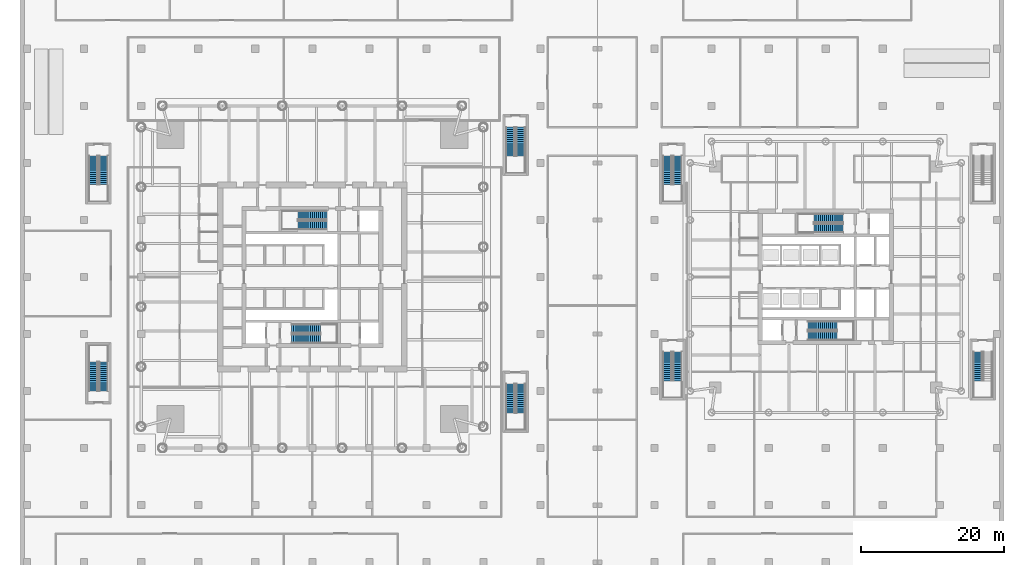
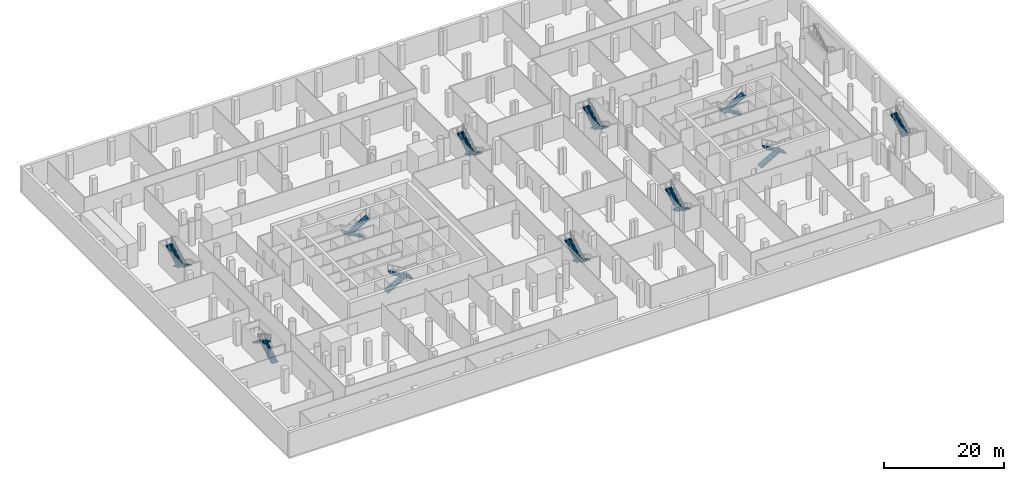
# One storey, part 17 of 22: 21 stair flights, 11 elements without a shape of their own.
"""IFC4 building model written with IfcOpenShell, lengths in metres."""

from ifc_helpers import new_model, si_unit, direction, frame, origin, place, context, subcontext, project, spatial, polyline, outline, extrude, material, type_object, element, aggregate, save


model = new_model("IFC4")

# Units and contexts
model_context = context("Model", 3, precision=1e-05, world=origin(), true_north=direction((0.0, 1.0)))
body_context = subcontext(model_context, "Body", "Model", "MODEL_VIEW")
ifc_project = project(units=[si_unit("LENGTHUNIT", "METRE"), si_unit("AREAUNIT", "SQUARE_METRE"), si_unit("VOLUMEUNIT", "CUBIC_METRE"), si_unit("PLANEANGLEUNIT", "RADIAN"), si_unit("MASSUNIT", "GRAM", prefix="KILO")], contexts=[model_context])

# Site, building, storey
site_placement = place(None, origin())
site = spatial("IfcSite", under=ifc_project, at=site_placement, CompositionType="ELEMENT")
building_placement = place(site_placement, origin())
building = spatial("IfcBuilding", under=site, at=building_placement, Name="Ostroluk Exchange", CompositionType="ELEMENT")
storey_placement = place(building_placement, frame((0.0, 0.0, -5.0)))
storey = spatial("IfcBuildingStorey", under=building, at=storey_placement, Name="B1", CompositionType="ELEMENT", Elevation=-5.0)

# Stair, stair flights
ifc_material_1 = material(Name="Concrete C30/37", Category="concrete")
stair_type = type_object("IfcStairType", Name="Exit stair half turn 5000", PredefinedType="HALF_TURN_STAIR", material=ifc_material_1)
stair_1_placement = place(storey_placement, origin())
stair_1 = element("IfcStair", 1, at=stair_1_placement, inside=storey, type_object=stair_type, Name="Stair T1-S1 B1", PredefinedType="HALF_TURN_STAIR")
ifc_material_2 = material(Name="Concrete C30/37", Category="concrete")
stair_flight_type = type_object("IfcStairFlightType", Name="Stair flight 15 risers 166.7 x 290", PredefinedType="STRAIGHT", material=ifc_material_2)
stair_flight_1_placement = place(storey_placement, frame((42.10009765625, 38.77490234375, 0.0), z_axis=(0.0, 0.0, 1.0), x_axis=(1.0, 0.0, 0.0)))
stair_flight_1 = element("IfcStairFlight", 2, at=stair_flight_1_placement, type_object=stair_flight_type, Name="T1-S1 flight 1", NumberOfRisers=15, NumberOfTreads=14, PredefinedType="STRAIGHT", RiserHeight=0.166666667, TreadLength=0.29, context=body_context, shape_type="SweptSolid", body=[
    extrude(outline(polyline([(0.0, 0.0), (0.0, 0.166748046875), (0.2900390625, 0.166748046875), (0.2900390625, 0.333251953125), (0.580078125, 0.333251953125), (0.580078125, 0.5), (0.8701171875, 0.5), (0.8701171875, 0.666748046875), (1.159912109375, 0.666748046875), (1.159912109375, 0.833251953125), (1.449951171875, 0.833251953125), (1.449951171875, 1.0), (1.739990234375, 1.0), (1.739990234375, 1.166748046875), (2.030029296875, 1.166748046875), (2.030029296875, 1.333251953125), (2.320068359375, 1.333251953125), (2.320068359375, 1.5), (2.610107421875, 1.5), (2.610107421875, 1.666748046875), (2.89990234375, 1.666748046875), (2.89990234375, 1.833251953125), (3.18994140625, 1.833251953125), (3.18994140625, 2.0), (3.47998046875, 2.0), (3.47998046875, 2.166748046875), (3.77001953125, 2.166748046875), (3.77001953125, 2.333251953125), (4.06005859375, 2.333251953125), (4.06005859375, 2.5), (4.06005859375, 2.160400390625), (0.30078125, 0.0), (0.0, 0.0)])), frame((0.0, 0.625, 0.0), z_axis=(0.0, -1.0, 0.0), x_axis=(1.0, 0.0, 0.0)), (0.0, 0.0, 1.0), 1.25),
])
stair_flight_2_placement = place(storey_placement, frame((46.159912109375, 37.324951171875, 2.5), z_axis=(0.0, 0.0, 1.0), x_axis=(-1.0, 0.0, 0.0)))
stair_flight_2 = element("IfcStairFlight", 3, at=stair_flight_2_placement, type_object=stair_flight_type, Name="T1-S1 flight 2", NumberOfRisers=15, NumberOfTreads=14, PredefinedType="STRAIGHT", RiserHeight=0.166666667, TreadLength=0.29, context=body_context, shape_type="SweptSolid", body=[
    extrude(outline(polyline([(0.0, 0.0), (0.0, 0.166748046875), (0.2900390625, 0.166748046875), (0.2900390625, 0.333251953125), (0.580078125, 0.333251953125), (0.580078125, 0.5), (0.8701171875, 0.5), (0.8701171875, 0.666748046875), (1.159912109375, 0.666748046875), (1.159912109375, 0.833251953125), (1.449951171875, 0.833251953125), (1.449951171875, 1.0), (1.739990234375, 1.0), (1.739990234375, 1.166748046875), (2.030029296875, 1.166748046875), (2.030029296875, 1.333251953125), (2.320068359375, 1.333251953125), (2.320068359375, 1.5), (2.610107421875, 1.5), (2.610107421875, 1.666748046875), (2.89990234375, 1.666748046875), (2.89990234375, 1.833251953125), (3.18994140625, 1.833251953125), (3.18994140625, 2.0), (3.47998046875, 2.0), (3.47998046875, 2.166748046875), (3.77001953125, 2.166748046875), (3.77001953125, 2.333251953125), (4.06005859375, 2.333251953125), (4.06005859375, 2.5), (4.06005859375, 2.160400390625), (0.30078125, 0.0), (0.0, 0.0)])), frame((0.0, 0.625, 0.0), z_axis=(0.0, -1.0, 0.0), x_axis=(1.0, 0.0, 0.0)), (0.0, 0.0, 1.0), 1.25),
])
aggregate(stair_1, [stair_flight_1, stair_flight_2])

stair_2_placement = place(storey_placement, origin())
stair_2 = element("IfcStair", 4, at=stair_2_placement, inside=storey, type_object=stair_type, Name="Stair T1-S2 B1", PredefinedType="HALF_TURN_STAIR")
stair_flight_3_placement = place(storey_placement, frame((47.030029296875, 54.675048828125, 0.0), z_axis=(0.0, 0.0, 1.0), x_axis=(-1.0, 0.0, 0.0)))
stair_flight_3 = element("IfcStairFlight", 5, at=stair_flight_3_placement, type_object=stair_flight_type, Name="T1-S2 flight 1", NumberOfRisers=15, NumberOfTreads=14, PredefinedType="STRAIGHT", RiserHeight=0.166666667, TreadLength=0.29, context=body_context, shape_type="SweptSolid", body=[
    extrude(outline(polyline([(0.0, 0.0), (0.0, 0.166748046875), (0.2900390625, 0.166748046875), (0.2900390625, 0.333251953125), (0.580078125, 0.333251953125), (0.580078125, 0.5), (0.8701171875, 0.5), (0.8701171875, 0.666748046875), (1.159912109375, 0.666748046875), (1.159912109375, 0.833251953125), (1.449951171875, 0.833251953125), (1.449951171875, 1.0), (1.739990234375, 1.0), (1.739990234375, 1.166748046875), (2.030029296875, 1.166748046875), (2.030029296875, 1.333251953125), (2.320068359375, 1.333251953125), (2.320068359375, 1.5), (2.610107421875, 1.5), (2.610107421875, 1.666748046875), (2.89990234375, 1.666748046875), (2.89990234375, 1.833251953125), (3.18994140625, 1.833251953125), (3.18994140625, 2.0), (3.47998046875, 2.0), (3.47998046875, 2.166748046875), (3.77001953125, 2.166748046875), (3.77001953125, 2.333251953125), (4.06005859375, 2.333251953125), (4.06005859375, 2.5), (4.06005859375, 2.160400390625), (0.30078125, 0.0), (0.0, 0.0)])), frame((0.0, 0.625, 0.0), z_axis=(0.0, -1.0, 0.0), x_axis=(1.0, 0.0, 0.0)), (0.0, 0.0, 1.0), 1.25),
])
stair_flight_4_placement = place(storey_placement, frame((42.969970703125, 53.22509765625, 2.5), z_axis=(0.0, 0.0, 1.0), x_axis=(1.0, 0.0, 0.0)))
stair_flight_4 = element("IfcStairFlight", 6, at=stair_flight_4_placement, type_object=stair_flight_type, Name="T1-S2 flight 2", NumberOfRisers=15, NumberOfTreads=14, PredefinedType="STRAIGHT", RiserHeight=0.166666667, TreadLength=0.29, context=body_context, shape_type="SweptSolid", body=[
    extrude(outline(polyline([(0.0, 0.0), (0.0, 0.166748046875), (0.2900390625, 0.166748046875), (0.2900390625, 0.333251953125), (0.580078125, 0.333251953125), (0.580078125, 0.5), (0.8701171875, 0.5), (0.8701171875, 0.666748046875), (1.159912109375, 0.666748046875), (1.159912109375, 0.833251953125), (1.449951171875, 0.833251953125), (1.449951171875, 1.0), (1.739990234375, 1.0), (1.739990234375, 1.166748046875), (2.030029296875, 1.166748046875), (2.030029296875, 1.333251953125), (2.320068359375, 1.333251953125), (2.320068359375, 1.5), (2.610107421875, 1.5), (2.610107421875, 1.666748046875), (2.89990234375, 1.666748046875), (2.89990234375, 1.833251953125), (3.18994140625, 1.833251953125), (3.18994140625, 2.0), (3.47998046875, 2.0), (3.47998046875, 2.166748046875), (3.77001953125, 2.166748046875), (3.77001953125, 2.333251953125), (4.06005859375, 2.333251953125), (4.06005859375, 2.5), (4.06005859375, 2.160400390625), (0.30078125, 0.0), (0.0, 0.0)])), frame((0.0, 0.625, 0.0), z_axis=(0.0, -1.0, 0.0), x_axis=(1.0, 0.0, 0.0)), (0.0, 0.0, 1.0), 1.25),
])
aggregate(stair_2, [stair_flight_3, stair_flight_4])

stair_3_placement = place(storey_placement, origin())
stair_3 = element("IfcStair", 7, at=stair_3_placement, inside=storey, type_object=stair_type, Name="Stair T2-S1 B1", PredefinedType="HALF_TURN_STAIR")
stair_flight_5_placement = place(storey_placement, frame((114.5, 39.175048828125, 0.0), z_axis=(0.0, 0.0, 1.0), x_axis=(1.0, 0.0, 0.0)))
stair_flight_5 = element("IfcStairFlight", 8, at=stair_flight_5_placement, type_object=stair_flight_type, Name="T2-S1 flight 1", NumberOfRisers=15, NumberOfTreads=14, PredefinedType="STRAIGHT", RiserHeight=0.166666667, TreadLength=0.29, context=body_context, shape_type="SweptSolid", body=[
    extrude(outline(polyline([(0.0, 0.0), (0.0, 0.166748046875), (0.2900390625, 0.166748046875), (0.2900390625, 0.333251953125), (0.580078125, 0.333251953125), (0.580078125, 0.5), (0.8701171875, 0.5), (0.8701171875, 0.666748046875), (1.159912109375, 0.666748046875), (1.159912109375, 0.833251953125), (1.449951171875, 0.833251953125), (1.449951171875, 1.0), (1.739990234375, 1.0), (1.739990234375, 1.166748046875), (2.030029296875, 1.166748046875), (2.030029296875, 1.333251953125), (2.320068359375, 1.333251953125), (2.320068359375, 1.5), (2.610107421875, 1.5), (2.610107421875, 1.666748046875), (2.89990234375, 1.666748046875), (2.89990234375, 1.833251953125), (3.18994140625, 1.833251953125), (3.18994140625, 2.0), (3.47998046875, 2.0), (3.47998046875, 2.166748046875), (3.77001953125, 2.166748046875), (3.77001953125, 2.333251953125), (4.06005859375, 2.333251953125), (4.06005859375, 2.5), (4.06005859375, 2.160400390625), (0.30078125, 0.0), (0.0, 0.0)])), frame((0.0, 0.625, 0.0), z_axis=(0.0, -1.0, 0.0), x_axis=(1.0, 0.0, 0.0)), (0.0, 0.0, 1.0), 1.25),
])
stair_flight_6_placement = place(storey_placement, frame((118.56005859375, 37.72509765625, 2.5), z_axis=(0.0, 0.0, 1.0), x_axis=(-1.0, 0.0, 0.0)))
stair_flight_6 = element("IfcStairFlight", 9, at=stair_flight_6_placement, type_object=stair_flight_type, Name="T2-S1 flight 2", NumberOfRisers=15, NumberOfTreads=14, PredefinedType="STRAIGHT", RiserHeight=0.166666667, TreadLength=0.29, context=body_context, shape_type="SweptSolid", body=[
    extrude(outline(polyline([(0.0, 0.0), (0.0, 0.166748046875), (0.2900390625, 0.166748046875), (0.2900390625, 0.333251953125), (0.580078125, 0.333251953125), (0.580078125, 0.5), (0.8701171875, 0.5), (0.8701171875, 0.666748046875), (1.159912109375, 0.666748046875), (1.159912109375, 0.833251953125), (1.449951171875, 0.833251953125), (1.449951171875, 1.0), (1.739990234375, 1.0), (1.739990234375, 1.166748046875), (2.030029296875, 1.166748046875), (2.030029296875, 1.333251953125), (2.320068359375, 1.333251953125), (2.320068359375, 1.5), (2.610107421875, 1.5), (2.610107421875, 1.666748046875), (2.89990234375, 1.666748046875), (2.89990234375, 1.833251953125), (3.18994140625, 1.833251953125), (3.18994140625, 2.0), (3.47998046875, 2.0), (3.47998046875, 2.166748046875), (3.77001953125, 2.166748046875), (3.77001953125, 2.333251953125), (4.06005859375, 2.333251953125), (4.06005859375, 2.5), (4.06005859375, 2.160400390625), (0.30078125, 0.0), (0.0, 0.0)])), frame((0.0, 0.625, 0.0), z_axis=(0.0, -1.0, 0.0), x_axis=(1.0, 0.0, 0.0)), (0.0, 0.0, 1.0), 1.25),
])
aggregate(stair_3, [stair_flight_5, stair_flight_6])

stair_4_placement = place(storey_placement, origin())
stair_4 = element("IfcStair", 10, at=stair_4_placement, inside=storey, type_object=stair_type, Name="Stair T2-S2 B1", PredefinedType="HALF_TURN_STAIR")
stair_flight_7_placement = place(storey_placement, frame((119.429931640625, 54.27490234375, 0.0), z_axis=(0.0, 0.0, 1.0), x_axis=(-1.0, 0.0, 0.0)))
stair_flight_7 = element("IfcStairFlight", 11, at=stair_flight_7_placement, type_object=stair_flight_type, Name="T2-S2 flight 1", NumberOfRisers=15, NumberOfTreads=14, PredefinedType="STRAIGHT", RiserHeight=0.166666667, TreadLength=0.29, context=body_context, shape_type="SweptSolid", body=[
    extrude(outline(polyline([(0.0, 0.0), (0.0, 0.166748046875), (0.2900390625, 0.166748046875), (0.2900390625, 0.333251953125), (0.580078125, 0.333251953125), (0.580078125, 0.5), (0.8701171875, 0.5), (0.8701171875, 0.666748046875), (1.159912109375, 0.666748046875), (1.159912109375, 0.833251953125), (1.449951171875, 0.833251953125), (1.449951171875, 1.0), (1.739990234375, 1.0), (1.739990234375, 1.166748046875), (2.030029296875, 1.166748046875), (2.030029296875, 1.333251953125), (2.320068359375, 1.333251953125), (2.320068359375, 1.5), (2.610107421875, 1.5), (2.610107421875, 1.666748046875), (2.89990234375, 1.666748046875), (2.89990234375, 1.833251953125), (3.18994140625, 1.833251953125), (3.18994140625, 2.0), (3.47998046875, 2.0), (3.47998046875, 2.166748046875), (3.77001953125, 2.166748046875), (3.77001953125, 2.333251953125), (4.06005859375, 2.333251953125), (4.06005859375, 2.5), (4.06005859375, 2.160400390625), (0.30078125, 0.0), (0.0, 0.0)])), frame((0.0, 0.625, 0.0), z_axis=(0.0, -1.0, 0.0), x_axis=(1.0, 0.0, 0.0)), (0.0, 0.0, 1.0), 1.25),
])
stair_flight_8_placement = place(storey_placement, frame((115.3701171875, 52.824951171875, 2.5), z_axis=(0.0, 0.0, 1.0), x_axis=(1.0, 0.0, 0.0)))
stair_flight_8 = element("IfcStairFlight", 12, at=stair_flight_8_placement, type_object=stair_flight_type, Name="T2-S2 flight 2", NumberOfRisers=15, NumberOfTreads=14, PredefinedType="STRAIGHT", RiserHeight=0.166666667, TreadLength=0.29, context=body_context, shape_type="SweptSolid", body=[
    extrude(outline(polyline([(0.0, 0.0), (0.0, 0.166748046875), (0.2900390625, 0.166748046875), (0.2900390625, 0.333251953125), (0.580078125, 0.333251953125), (0.580078125, 0.5), (0.8701171875, 0.5), (0.8701171875, 0.666748046875), (1.159912109375, 0.666748046875), (1.159912109375, 0.833251953125), (1.449951171875, 0.833251953125), (1.449951171875, 1.0), (1.739990234375, 1.0), (1.739990234375, 1.166748046875), (2.030029296875, 1.166748046875), (2.030029296875, 1.333251953125), (2.320068359375, 1.333251953125), (2.320068359375, 1.5), (2.610107421875, 1.5), (2.610107421875, 1.666748046875), (2.89990234375, 1.666748046875), (2.89990234375, 1.833251953125), (3.18994140625, 1.833251953125), (3.18994140625, 2.0), (3.47998046875, 2.0), (3.47998046875, 2.166748046875), (3.77001953125, 2.166748046875), (3.77001953125, 2.333251953125), (4.06005859375, 2.333251953125), (4.06005859375, 2.5), (4.06005859375, 2.160400390625), (0.30078125, 0.0), (0.0, 0.0)])), frame((0.0, 0.625, 0.0), z_axis=(0.0, -1.0, 0.0), x_axis=(1.0, 0.0, 0.0)), (0.0, 0.0, 1.0), 1.25),
])
aggregate(stair_4, [stair_flight_7, stair_flight_8])

stair_5_placement = place(storey_placement, origin())
stair_5 = element("IfcStair", 13, at=stair_5_placement, inside=storey, type_object=stair_type, Name="Stair PS1 B1", PredefinedType="HALF_TURN_STAIR")
stair_flight_9_placement = place(storey_placement, frame((15.72509765625, 30.0, 0.0), z_axis=(0.0, 0.0, 1.0), x_axis=(0.0, 1.0, 0.0)))
stair_flight_9 = element("IfcStairFlight", 14, at=stair_flight_9_placement, type_object=stair_flight_type, Name="PS1 flight 1", NumberOfRisers=15, NumberOfTreads=14, PredefinedType="STRAIGHT", RiserHeight=0.166666667, TreadLength=0.29, context=body_context, shape_type="SweptSolid", body=[
    extrude(outline(polyline([(0.0, 0.0), (0.0, 0.166748046875), (0.2900390625, 0.166748046875), (0.2900390625, 0.333251953125), (0.580078125, 0.333251953125), (0.580078125, 0.5), (0.8701171875, 0.5), (0.8701171875, 0.666748046875), (1.159912109375, 0.666748046875), (1.159912109375, 0.833251953125), (1.449951171875, 0.833251953125), (1.449951171875, 1.0), (1.739990234375, 1.0), (1.739990234375, 1.166748046875), (2.030029296875, 1.166748046875), (2.030029296875, 1.333251953125), (2.320068359375, 1.333251953125), (2.320068359375, 1.5), (2.610107421875, 1.5), (2.610107421875, 1.666748046875), (2.89990234375, 1.666748046875), (2.89990234375, 1.833251953125), (3.18994140625, 1.833251953125), (3.18994140625, 2.0), (3.47998046875, 2.0), (3.47998046875, 2.166748046875), (3.77001953125, 2.166748046875), (3.77001953125, 2.333251953125), (4.06005859375, 2.333251953125), (4.06005859375, 2.5), (4.06005859375, 2.160400390625), (0.30078125, 0.0), (0.0, 0.0)])), frame((0.0, 0.625, 0.0), z_axis=(0.0, -1.0, 0.0), x_axis=(1.0, 0.0, 0.0)), (0.0, 0.0, 1.0), 1.25),
])
stair_flight_10_placement = place(storey_placement, frame((14.27490234375, 34.06005859375, 2.5), z_axis=(0.0, 0.0, 1.0), x_axis=(0.0, -1.0, 0.0)))
stair_flight_10 = element("IfcStairFlight", 15, at=stair_flight_10_placement, type_object=stair_flight_type, Name="PS1 flight 2", NumberOfRisers=15, NumberOfTreads=14, PredefinedType="STRAIGHT", RiserHeight=0.166666667, TreadLength=0.29, context=body_context, shape_type="SweptSolid", body=[
    extrude(outline(polyline([(0.0, 0.0), (0.0, 0.166748046875), (0.2900390625, 0.166748046875), (0.2900390625, 0.333251953125), (0.580078125, 0.333251953125), (0.580078125, 0.5), (0.8701171875, 0.5), (0.8701171875, 0.666748046875), (1.159912109375, 0.666748046875), (1.159912109375, 0.833251953125), (1.449951171875, 0.833251953125), (1.449951171875, 1.0), (1.739990234375, 1.0), (1.739990234375, 1.166748046875), (2.030029296875, 1.166748046875), (2.030029296875, 1.333251953125), (2.320068359375, 1.333251953125), (2.320068359375, 1.5), (2.610107421875, 1.5), (2.610107421875, 1.666748046875), (2.89990234375, 1.666748046875), (2.89990234375, 1.833251953125), (3.18994140625, 1.833251953125), (3.18994140625, 2.0), (3.47998046875, 2.0), (3.47998046875, 2.166748046875), (3.77001953125, 2.166748046875), (3.77001953125, 2.333251953125), (4.06005859375, 2.333251953125), (4.06005859375, 2.5), (4.06005859375, 2.160400390625), (0.30078125, 0.0), (0.0, 0.0)])), frame((0.0, 0.625, 0.0), z_axis=(0.0, -1.0, 0.0), x_axis=(1.0, 0.0, 0.0)), (0.0, 0.0, 1.0), 1.25),
])
aggregate(stair_5, [stair_flight_9, stair_flight_10])

stair_6_placement = place(storey_placement, origin())
stair_6 = element("IfcStair", 16, at=stair_6_placement, inside=storey, type_object=stair_type, Name="Stair PS2 B1", PredefinedType="HALF_TURN_STAIR")
stair_flight_11_placement = place(storey_placement, frame((15.72509765625, 63.0, 0.0), z_axis=(0.0, 0.0, 1.0), x_axis=(0.0, -1.0, 0.0)))
stair_flight_11 = element("IfcStairFlight", 17, at=stair_flight_11_placement, type_object=stair_flight_type, Name="PS2 flight 1", NumberOfRisers=15, NumberOfTreads=14, PredefinedType="STRAIGHT", RiserHeight=0.166666667, TreadLength=0.29, context=body_context, shape_type="SweptSolid", body=[
    extrude(outline(polyline([(0.0, 0.0), (0.0, 0.166748046875), (0.2900390625, 0.166748046875), (0.2900390625, 0.333251953125), (0.580078125, 0.333251953125), (0.580078125, 0.5), (0.8701171875, 0.5), (0.8701171875, 0.666748046875), (1.159912109375, 0.666748046875), (1.159912109375, 0.833251953125), (1.449951171875, 0.833251953125), (1.449951171875, 1.0), (1.739990234375, 1.0), (1.739990234375, 1.166748046875), (2.030029296875, 1.166748046875), (2.030029296875, 1.333251953125), (2.320068359375, 1.333251953125), (2.320068359375, 1.5), (2.610107421875, 1.5), (2.610107421875, 1.666748046875), (2.89990234375, 1.666748046875), (2.89990234375, 1.833251953125), (3.18994140625, 1.833251953125), (3.18994140625, 2.0), (3.47998046875, 2.0), (3.47998046875, 2.166748046875), (3.77001953125, 2.166748046875), (3.77001953125, 2.333251953125), (4.06005859375, 2.333251953125), (4.06005859375, 2.5), (4.06005859375, 2.160400390625), (0.30078125, 0.0), (0.0, 0.0)])), frame((0.0, 0.625, 0.0), z_axis=(0.0, -1.0, 0.0), x_axis=(1.0, 0.0, 0.0)), (0.0, 0.0, 1.0), 1.25),
])
stair_flight_12_placement = place(storey_placement, frame((14.27490234375, 58.93994140625, 2.5), z_axis=(0.0, 0.0, 1.0), x_axis=(0.0, 1.0, 0.0)))
stair_flight_12 = element("IfcStairFlight", 18, at=stair_flight_12_placement, type_object=stair_flight_type, Name="PS2 flight 2", NumberOfRisers=15, NumberOfTreads=14, PredefinedType="STRAIGHT", RiserHeight=0.166666667, TreadLength=0.29, context=body_context, shape_type="SweptSolid", body=[
    extrude(outline(polyline([(0.0, 0.0), (0.0, 0.166748046875), (0.2900390625, 0.166748046875), (0.2900390625, 0.333251953125), (0.580078125, 0.333251953125), (0.580078125, 0.5), (0.8701171875, 0.5), (0.8701171875, 0.666748046875), (1.159912109375, 0.666748046875), (1.159912109375, 0.833251953125), (1.449951171875, 0.833251953125), (1.449951171875, 1.0), (1.739990234375, 1.0), (1.739990234375, 1.166748046875), (2.030029296875, 1.166748046875), (2.030029296875, 1.333251953125), (2.320068359375, 1.333251953125), (2.320068359375, 1.5), (2.610107421875, 1.5), (2.610107421875, 1.666748046875), (2.89990234375, 1.666748046875), (2.89990234375, 1.833251953125), (3.18994140625, 1.833251953125), (3.18994140625, 2.0), (3.47998046875, 2.0), (3.47998046875, 2.166748046875), (3.77001953125, 2.166748046875), (3.77001953125, 2.333251953125), (4.06005859375, 2.333251953125), (4.06005859375, 2.5), (4.06005859375, 2.160400390625), (0.30078125, 0.0), (0.0, 0.0)])), frame((0.0, 0.625, 0.0), z_axis=(0.0, -1.0, 0.0), x_axis=(1.0, 0.0, 0.0)), (0.0, 0.0, 1.0), 1.25),
])
aggregate(stair_6, [stair_flight_11, stair_flight_12])

stair_7_placement = place(storey_placement, origin())
stair_7 = element("IfcStair", 19, at=stair_7_placement, inside=storey, type_object=stair_type, Name="Stair PS3 B1", PredefinedType="HALF_TURN_STAIR")
stair_flight_13_placement = place(storey_placement, frame((74.22509765625, 31.0, 0.0), z_axis=(0.0, 0.0, 1.0), x_axis=(0.0, -1.0, 0.0)))
stair_flight_13 = element("IfcStairFlight", 20, at=stair_flight_13_placement, type_object=stair_flight_type, Name="PS3 flight 1", NumberOfRisers=15, NumberOfTreads=14, PredefinedType="STRAIGHT", RiserHeight=0.166666667, TreadLength=0.29, context=body_context, shape_type="SweptSolid", body=[
    extrude(outline(polyline([(0.0, 0.0), (0.0, 0.166748046875), (0.2900390625, 0.166748046875), (0.2900390625, 0.333251953125), (0.580078125, 0.333251953125), (0.580078125, 0.5), (0.8701171875, 0.5), (0.8701171875, 0.666748046875), (1.159912109375, 0.666748046875), (1.159912109375, 0.833251953125), (1.449951171875, 0.833251953125), (1.449951171875, 1.0), (1.739990234375, 1.0), (1.739990234375, 1.166748046875), (2.030029296875, 1.166748046875), (2.030029296875, 1.333251953125), (2.320068359375, 1.333251953125), (2.320068359375, 1.5), (2.610107421875, 1.5), (2.610107421875, 1.666748046875), (2.89990234375, 1.666748046875), (2.89990234375, 1.833251953125), (3.18994140625, 1.833251953125), (3.18994140625, 2.0), (3.47998046875, 2.0), (3.47998046875, 2.166748046875), (3.77001953125, 2.166748046875), (3.77001953125, 2.333251953125), (4.06005859375, 2.333251953125), (4.06005859375, 2.5), (4.06005859375, 2.160400390625), (0.30078125, 0.0), (0.0, 0.0)])), frame((0.0, 0.625, 0.0), z_axis=(0.0, -1.0, 0.0), x_axis=(1.0, 0.0, 0.0)), (0.0, 0.0, 1.0), 1.25),
])
stair_flight_14_placement = place(storey_placement, frame((72.77490234375, 26.93994140625, 2.5), z_axis=(0.0, 0.0, 1.0), x_axis=(0.0, 1.0, 0.0)))
stair_flight_14 = element("IfcStairFlight", 21, at=stair_flight_14_placement, type_object=stair_flight_type, Name="PS3 flight 2", NumberOfRisers=15, NumberOfTreads=14, PredefinedType="STRAIGHT", RiserHeight=0.166666667, TreadLength=0.29, context=body_context, shape_type="SweptSolid", body=[
    extrude(outline(polyline([(0.0, 0.0), (0.0, 0.166748046875), (0.2900390625, 0.166748046875), (0.2900390625, 0.333251953125), (0.580078125, 0.333251953125), (0.580078125, 0.5), (0.8701171875, 0.5), (0.8701171875, 0.666748046875), (1.159912109375, 0.666748046875), (1.159912109375, 0.833251953125), (1.449951171875, 0.833251953125), (1.449951171875, 1.0), (1.739990234375, 1.0), (1.739990234375, 1.166748046875), (2.030029296875, 1.166748046875), (2.030029296875, 1.333251953125), (2.320068359375, 1.333251953125), (2.320068359375, 1.5), (2.610107421875, 1.5), (2.610107421875, 1.666748046875), (2.89990234375, 1.666748046875), (2.89990234375, 1.833251953125), (3.18994140625, 1.833251953125), (3.18994140625, 2.0), (3.47998046875, 2.0), (3.47998046875, 2.166748046875), (3.77001953125, 2.166748046875), (3.77001953125, 2.333251953125), (4.06005859375, 2.333251953125), (4.06005859375, 2.5), (4.06005859375, 2.160400390625), (0.30078125, 0.0), (0.0, 0.0)])), frame((0.0, 0.625, 0.0), z_axis=(0.0, -1.0, 0.0), x_axis=(1.0, 0.0, 0.0)), (0.0, 0.0, 1.0), 1.25),
])
aggregate(stair_7, [stair_flight_13, stair_flight_14])

stair_8_placement = place(storey_placement, origin())
stair_8 = element("IfcStair", 22, at=stair_8_placement, inside=storey, type_object=stair_type, Name="Stair PS4 B1", PredefinedType="HALF_TURN_STAIR")
stair_flight_15_placement = place(storey_placement, frame((74.22509765625, 67.0, 0.0), z_axis=(0.0, 0.0, 1.0), x_axis=(0.0, -1.0, 0.0)))
stair_flight_15 = element("IfcStairFlight", 23, at=stair_flight_15_placement, type_object=stair_flight_type, Name="PS4 flight 1", NumberOfRisers=15, NumberOfTreads=14, PredefinedType="STRAIGHT", RiserHeight=0.166666667, TreadLength=0.29, context=body_context, shape_type="SweptSolid", body=[
    extrude(outline(polyline([(0.0, 0.0), (0.0, 0.166748046875), (0.2900390625, 0.166748046875), (0.2900390625, 0.333251953125), (0.580078125, 0.333251953125), (0.580078125, 0.5), (0.8701171875, 0.5), (0.8701171875, 0.666748046875), (1.159912109375, 0.666748046875), (1.159912109375, 0.833251953125), (1.449951171875, 0.833251953125), (1.449951171875, 1.0), (1.739990234375, 1.0), (1.739990234375, 1.166748046875), (2.030029296875, 1.166748046875), (2.030029296875, 1.333251953125), (2.320068359375, 1.333251953125), (2.320068359375, 1.5), (2.610107421875, 1.5), (2.610107421875, 1.666748046875), (2.89990234375, 1.666748046875), (2.89990234375, 1.833251953125), (3.18994140625, 1.833251953125), (3.18994140625, 2.0), (3.47998046875, 2.0), (3.47998046875, 2.166748046875), (3.77001953125, 2.166748046875), (3.77001953125, 2.333251953125), (4.06005859375, 2.333251953125), (4.06005859375, 2.5), (4.06005859375, 2.160400390625), (0.30078125, 0.0), (0.0, 0.0)])), frame((0.0, 0.625, 0.0), z_axis=(0.0, -1.0, 0.0), x_axis=(1.0, 0.0, 0.0)), (0.0, 0.0, 1.0), 1.25),
])
stair_flight_16_placement = place(storey_placement, frame((72.77490234375, 62.93994140625, 2.5), z_axis=(0.0, 0.0, 1.0), x_axis=(0.0, 1.0, 0.0)))
stair_flight_16 = element("IfcStairFlight", 24, at=stair_flight_16_placement, type_object=stair_flight_type, Name="PS4 flight 2", NumberOfRisers=15, NumberOfTreads=14, PredefinedType="STRAIGHT", RiserHeight=0.166666667, TreadLength=0.29, context=body_context, shape_type="SweptSolid", body=[
    extrude(outline(polyline([(0.0, 0.0), (0.0, 0.166748046875), (0.2900390625, 0.166748046875), (0.2900390625, 0.333251953125), (0.580078125, 0.333251953125), (0.580078125, 0.5), (0.8701171875, 0.5), (0.8701171875, 0.666748046875), (1.159912109375, 0.666748046875), (1.159912109375, 0.833251953125), (1.449951171875, 0.833251953125), (1.449951171875, 1.0), (1.739990234375, 1.0), (1.739990234375, 1.166748046875), (2.030029296875, 1.166748046875), (2.030029296875, 1.333251953125), (2.320068359375, 1.333251953125), (2.320068359375, 1.5), (2.610107421875, 1.5), (2.610107421875, 1.666748046875), (2.89990234375, 1.666748046875), (2.89990234375, 1.833251953125), (3.18994140625, 1.833251953125), (3.18994140625, 2.0), (3.47998046875, 2.0), (3.47998046875, 2.166748046875), (3.77001953125, 2.166748046875), (3.77001953125, 2.333251953125), (4.06005859375, 2.333251953125), (4.06005859375, 2.5), (4.06005859375, 2.160400390625), (0.30078125, 0.0), (0.0, 0.0)])), frame((0.0, 0.625, 0.0), z_axis=(0.0, -1.0, 0.0), x_axis=(1.0, 0.0, 0.0)), (0.0, 0.0, 1.0), 1.25),
])
aggregate(stair_8, [stair_flight_15, stair_flight_16])

stair_9_placement = place(storey_placement, origin())
stair_9 = element("IfcStair", 25, at=stair_9_placement, inside=storey, type_object=stair_type, Name="Stair PS5 B1", PredefinedType="HALF_TURN_STAIR")
stair_flight_17_placement = place(storey_placement, frame((96.22509765625, 35.5, 0.0), z_axis=(0.0, 0.0, 1.0), x_axis=(0.0, -1.0, 0.0)))
stair_flight_17 = element("IfcStairFlight", 26, at=stair_flight_17_placement, type_object=stair_flight_type, Name="PS5 flight 1", NumberOfRisers=15, NumberOfTreads=14, PredefinedType="STRAIGHT", RiserHeight=0.166666667, TreadLength=0.29, context=body_context, shape_type="SweptSolid", body=[
    extrude(outline(polyline([(0.0, 0.0), (0.0, 0.166748046875), (0.2900390625, 0.166748046875), (0.2900390625, 0.333251953125), (0.580078125, 0.333251953125), (0.580078125, 0.5), (0.8701171875, 0.5), (0.8701171875, 0.666748046875), (1.159912109375, 0.666748046875), (1.159912109375, 0.833251953125), (1.449951171875, 0.833251953125), (1.449951171875, 1.0), (1.739990234375, 1.0), (1.739990234375, 1.166748046875), (2.030029296875, 1.166748046875), (2.030029296875, 1.333251953125), (2.320068359375, 1.333251953125), (2.320068359375, 1.5), (2.610107421875, 1.5), (2.610107421875, 1.666748046875), (2.89990234375, 1.666748046875), (2.89990234375, 1.833251953125), (3.18994140625, 1.833251953125), (3.18994140625, 2.0), (3.47998046875, 2.0), (3.47998046875, 2.166748046875), (3.77001953125, 2.166748046875), (3.77001953125, 2.333251953125), (4.06005859375, 2.333251953125), (4.06005859375, 2.5), (4.06005859375, 2.160400390625), (0.30078125, 0.0), (0.0, 0.0)])), frame((0.0, 0.625, 0.0), z_axis=(0.0, -1.0, 0.0), x_axis=(1.0, 0.0, 0.0)), (0.0, 0.0, 1.0), 1.25),
])
stair_flight_18_placement = place(storey_placement, frame((94.77490234375, 31.43994140625, 2.5), z_axis=(0.0, 0.0, 1.0), x_axis=(0.0, 1.0, 0.0)))
stair_flight_18 = element("IfcStairFlight", 27, at=stair_flight_18_placement, type_object=stair_flight_type, Name="PS5 flight 2", NumberOfRisers=15, NumberOfTreads=14, PredefinedType="STRAIGHT", RiserHeight=0.166666667, TreadLength=0.29, context=body_context, shape_type="SweptSolid", body=[
    extrude(outline(polyline([(0.0, 0.0), (0.0, 0.166748046875), (0.2900390625, 0.166748046875), (0.2900390625, 0.333251953125), (0.580078125, 0.333251953125), (0.580078125, 0.5), (0.8701171875, 0.5), (0.8701171875, 0.666748046875), (1.159912109375, 0.666748046875), (1.159912109375, 0.833251953125), (1.449951171875, 0.833251953125), (1.449951171875, 1.0), (1.739990234375, 1.0), (1.739990234375, 1.166748046875), (2.030029296875, 1.166748046875), (2.030029296875, 1.333251953125), (2.320068359375, 1.333251953125), (2.320068359375, 1.5), (2.610107421875, 1.5), (2.610107421875, 1.666748046875), (2.89990234375, 1.666748046875), (2.89990234375, 1.833251953125), (3.18994140625, 1.833251953125), (3.18994140625, 2.0), (3.47998046875, 2.0), (3.47998046875, 2.166748046875), (3.77001953125, 2.166748046875), (3.77001953125, 2.333251953125), (4.06005859375, 2.333251953125), (4.06005859375, 2.5), (4.06005859375, 2.160400390625), (0.30078125, 0.0), (0.0, 0.0)])), frame((0.0, 0.625, 0.0), z_axis=(0.0, -1.0, 0.0), x_axis=(1.0, 0.0, 0.0)), (0.0, 0.0, 1.0), 1.25),
])
aggregate(stair_9, [stair_flight_17, stair_flight_18])

stair_10_placement = place(storey_placement, origin())
stair_10 = element("IfcStair", 28, at=stair_10_placement, inside=storey, type_object=stair_type, Name="Stair PS6 B1", PredefinedType="HALF_TURN_STAIR")
stair_flight_19_placement = place(storey_placement, frame((96.22509765625, 63.0, 0.0), z_axis=(0.0, 0.0, 1.0), x_axis=(0.0, -1.0, 0.0)))
stair_flight_19 = element("IfcStairFlight", 29, at=stair_flight_19_placement, type_object=stair_flight_type, Name="PS6 flight 1", NumberOfRisers=15, NumberOfTreads=14, PredefinedType="STRAIGHT", RiserHeight=0.166666667, TreadLength=0.29, context=body_context, shape_type="SweptSolid", body=[
    extrude(outline(polyline([(0.0, 0.0), (0.0, 0.166748046875), (0.2900390625, 0.166748046875), (0.2900390625, 0.333251953125), (0.580078125, 0.333251953125), (0.580078125, 0.5), (0.8701171875, 0.5), (0.8701171875, 0.666748046875), (1.159912109375, 0.666748046875), (1.159912109375, 0.833251953125), (1.449951171875, 0.833251953125), (1.449951171875, 1.0), (1.739990234375, 1.0), (1.739990234375, 1.166748046875), (2.030029296875, 1.166748046875), (2.030029296875, 1.333251953125), (2.320068359375, 1.333251953125), (2.320068359375, 1.5), (2.610107421875, 1.5), (2.610107421875, 1.666748046875), (2.89990234375, 1.666748046875), (2.89990234375, 1.833251953125), (3.18994140625, 1.833251953125), (3.18994140625, 2.0), (3.47998046875, 2.0), (3.47998046875, 2.166748046875), (3.77001953125, 2.166748046875), (3.77001953125, 2.333251953125), (4.06005859375, 2.333251953125), (4.06005859375, 2.5), (4.06005859375, 2.160400390625), (0.30078125, 0.0), (0.0, 0.0)])), frame((0.0, 0.625, 0.0), z_axis=(0.0, -1.0, 0.0), x_axis=(1.0, 0.0, 0.0)), (0.0, 0.0, 1.0), 1.25),
])
stair_flight_20_placement = place(storey_placement, frame((94.77490234375, 58.93994140625, 2.5), z_axis=(0.0, 0.0, 1.0), x_axis=(0.0, 1.0, 0.0)))
stair_flight_20 = element("IfcStairFlight", 30, at=stair_flight_20_placement, type_object=stair_flight_type, Name="PS6 flight 2", NumberOfRisers=15, NumberOfTreads=14, PredefinedType="STRAIGHT", RiserHeight=0.166666667, TreadLength=0.29, context=body_context, shape_type="SweptSolid", body=[
    extrude(outline(polyline([(0.0, 0.0), (0.0, 0.166748046875), (0.2900390625, 0.166748046875), (0.2900390625, 0.333251953125), (0.580078125, 0.333251953125), (0.580078125, 0.5), (0.8701171875, 0.5), (0.8701171875, 0.666748046875), (1.159912109375, 0.666748046875), (1.159912109375, 0.833251953125), (1.449951171875, 0.833251953125), (1.449951171875, 1.0), (1.739990234375, 1.0), (1.739990234375, 1.166748046875), (2.030029296875, 1.166748046875), (2.030029296875, 1.333251953125), (2.320068359375, 1.333251953125), (2.320068359375, 1.5), (2.610107421875, 1.5), (2.610107421875, 1.666748046875), (2.89990234375, 1.666748046875), (2.89990234375, 1.833251953125), (3.18994140625, 1.833251953125), (3.18994140625, 2.0), (3.47998046875, 2.0), (3.47998046875, 2.166748046875), (3.77001953125, 2.166748046875), (3.77001953125, 2.333251953125), (4.06005859375, 2.333251953125), (4.06005859375, 2.5), (4.06005859375, 2.160400390625), (0.30078125, 0.0), (0.0, 0.0)])), frame((0.0, 0.625, 0.0), z_axis=(0.0, -1.0, 0.0), x_axis=(1.0, 0.0, 0.0)), (0.0, 0.0, 1.0), 1.25),
])
aggregate(stair_10, [stair_flight_19, stair_flight_20])

# Stair, stair flight
stair_11_placement = place(storey_placement, origin())
stair_11 = element("IfcStair", 31, at=stair_11_placement, inside=storey, type_object=stair_type, Name="Stair PS7 B1", PredefinedType="HALF_TURN_STAIR")
stair_flight_21_placement = place(storey_placement, frame((138.27490234375, 31.43994140625, 2.5), z_axis=(0.0, 0.0, 1.0), x_axis=(0.0, 1.0, 0.0)))
stair_flight_21 = element("IfcStairFlight", 32, at=stair_flight_21_placement, type_object=stair_flight_type, Name="PS7 flight 2", NumberOfRisers=15, NumberOfTreads=14, PredefinedType="STRAIGHT", RiserHeight=0.166666667, TreadLength=0.29, context=body_context, shape_type="SweptSolid", body=[
    extrude(outline(polyline([(0.0, 0.0), (0.0, 0.166748046875), (0.2900390625, 0.166748046875), (0.2900390625, 0.333251953125), (0.580078125, 0.333251953125), (0.580078125, 0.5), (0.8701171875, 0.5), (0.8701171875, 0.666748046875), (1.159912109375, 0.666748046875), (1.159912109375, 0.833251953125), (1.449951171875, 0.833251953125), (1.449951171875, 1.0), (1.739990234375, 1.0), (1.739990234375, 1.166748046875), (2.030029296875, 1.166748046875), (2.030029296875, 1.333251953125), (2.320068359375, 1.333251953125), (2.320068359375, 1.5), (2.610107421875, 1.5), (2.610107421875, 1.666748046875), (2.89990234375, 1.666748046875), (2.89990234375, 1.833251953125), (3.18994140625, 1.833251953125), (3.18994140625, 2.0), (3.47998046875, 2.0), (3.47998046875, 2.166748046875), (3.77001953125, 2.166748046875), (3.77001953125, 2.333251953125), (4.06005859375, 2.333251953125), (4.06005859375, 2.5), (4.06005859375, 2.160400390625), (0.30078125, 0.0), (0.0, 0.0)])), frame((0.0, 0.625, 0.0), z_axis=(0.0, -1.0, 0.0), x_axis=(1.0, 0.0, 0.0)), (0.0, 0.0, 1.0), 1.25),
])
aggregate(stair_11, [stair_flight_21])

save(model, "model.ifc")
